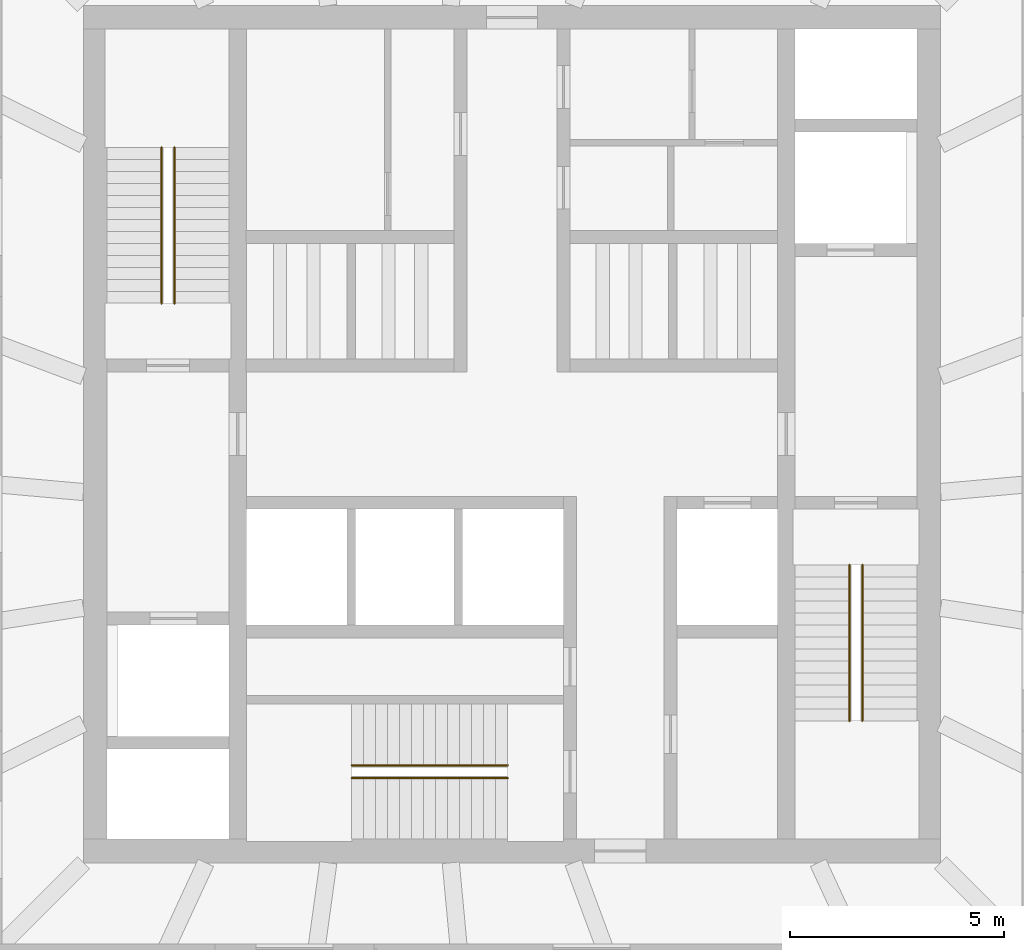
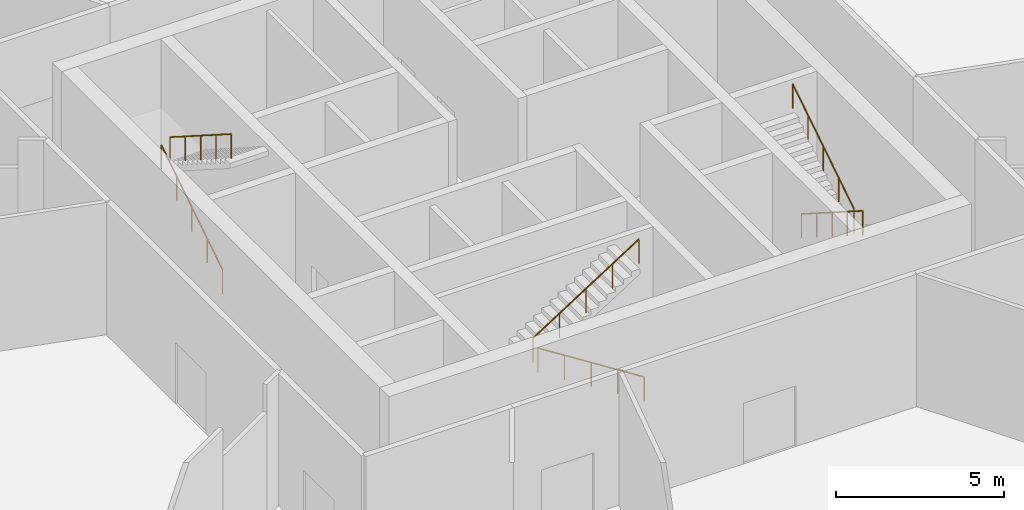
# One storey, part 17 of 17: 6 railings.
"""IFC4 building model written with IfcOpenShell, lengths in metres."""

from ifc_helpers import new_model, si_unit, direction, frame, origin, origin_2d, place, context, subcontext, project, spatial, circle, extrude, material, type_object, element, save


model = new_model("IFC4")

# Units and contexts
model_context = context("Model", 3, precision=1e-05, world=origin(), true_north=direction((0.0, 1.0)))
body_context = subcontext(model_context, "Body", "Model", "MODEL_VIEW")
ifc_project = project(units=[si_unit("LENGTHUNIT", "METRE"), si_unit("AREAUNIT", "SQUARE_METRE"), si_unit("VOLUMEUNIT", "CUBIC_METRE"), si_unit("PLANEANGLEUNIT", "RADIAN"), si_unit("MASSUNIT", "GRAM", prefix="KILO")], contexts=[model_context])

# Site, building, storey
site_placement = place(None, origin())
site = spatial("IfcSite", under=ifc_project, at=site_placement, CompositionType="ELEMENT")
building_placement = place(site_placement, origin())
building = spatial("IfcBuilding", under=site, at=building_placement, Name="Golbaran Civic Tower", CompositionType="ELEMENT")
storey_placement = place(building_placement, frame((0.0, 0.0, 150.0)))
storey = spatial("IfcBuildingStorey", under=building, at=storey_placement, Name="L36", CompositionType="ELEMENT", Elevation=150.0)

# Railings
ifc_material = material(Name="Stainless steel", Category="steel")
railing_type = type_object("IfcRailingType", Name="STAIR HANDRAIL 900", PredefinedType="HANDRAIL", material=ifc_material)
railing_1_placement = place(storey_placement, frame((-8.175048828125, 3.050048828125, 0.178466796875)))
element("IfcRailing", 1, at=railing_1_placement, inside=storey, type_object=railing_type, Name="Stair S1 handrail flight 1 L36", PredefinedType="HANDRAIL", context=body_context, shape_type="SweptSolid", body=[
    extrude(circle(Radius=0.02392578125, at=origin_2d()), frame((0.0, 0.0, 0.8759765625), z_axis=(0.0, 0.843111507901, 0.53773877045), x_axis=(-1.0, 0.0, 0.0)), (0.0, 0.0, 1.0), 4.317138671875),
    extrude(circle(Radius=0.02099609375, at=origin_2d()), origin(), (0.0, 0.0, 1.0), 0.851806640625),
    extrude(circle(Radius=0.02099609375, at=origin_2d()), frame((0.0, 0.909912109375, 0.580322265625)), (0.0, 0.0, 1.0), 0.851806640625),
    extrude(circle(Radius=0.02099609375, at=origin_2d()), frame((0.0, 1.81982421875, 1.16064453125)), (0.0, 0.0, 1.0), 0.851806640625),
    extrude(circle(Radius=0.02099609375, at=origin_2d()), frame((0.0, 2.72998046875, 1.7412109375)), (0.0, 0.0, 1.0), 0.851806640625),
    extrude(circle(Radius=0.02099609375, at=origin_2d()), frame((0.0, 3.639892578125, 2.321533203125)), (0.0, 0.0, 1.0), 0.851806640625),
])
for number, where, name in (
    (2, (-7.875, 6.68994140625, 2.678466796875), "Stair S1 handrail flight 2 L36"),
    (3, (8.175048828125, -3.050048828125, 0.178466796875), "Stair S2 handrail flight 1 L36"),
):
    element("IfcRailing", number, at=place(storey_placement, frame(where)), inside=storey, type_object=railing_type, Name=name, PredefinedType="HANDRAIL", context=body_context, shape_type="SweptSolid", body=[
        extrude(circle(Radius=0.02392578125, at=origin_2d()), frame((0.0, 0.0, 0.8759765625), z_axis=(0.0, -0.843111507901, 0.53773877045), x_axis=(1.0, 0.0, 0.0)), (0.0, 0.0, 1.0), 4.317138671875),
        extrude(circle(Radius=0.02099609375, at=origin_2d()), origin(), (0.0, 0.0, 1.0), 0.851806640625),
        extrude(circle(Radius=0.02099609375, at=origin_2d()), frame((0.0, -0.909912109375, 0.580322265625)), (0.0, 0.0, 1.0), 0.851806640625),
        extrude(circle(Radius=0.02099609375, at=origin_2d()), frame((0.0, -1.81982421875, 1.16064453125)), (0.0, 0.0, 1.0), 0.851806640625),
        extrude(circle(Radius=0.02099609375, at=origin_2d()), frame((0.0, -2.72998046875, 1.7412109375)), (0.0, 0.0, 1.0), 0.851806640625),
        extrude(circle(Radius=0.02099609375, at=origin_2d()), frame((0.0, -3.639892578125, 2.321533203125)), (0.0, 0.0, 1.0), 0.851806640625),
    ])
railing_2_placement = place(storey_placement, frame((7.875, -6.68994140625, 2.678466796875)))
element("IfcRailing", 4, at=railing_2_placement, inside=storey, type_object=railing_type, Name="Stair S2 handrail flight 2 L36", PredefinedType="HANDRAIL", context=body_context, shape_type="SweptSolid", body=[
    extrude(circle(Radius=0.02392578125, at=origin_2d()), frame((0.0, 0.0, 0.8759765625), z_axis=(0.0, 0.843111507901, 0.53773877045), x_axis=(-1.0, 0.0, 0.0)), (0.0, 0.0, 1.0), 4.317138671875),
    extrude(circle(Radius=0.02099609375, at=origin_2d()), origin(), (0.0, 0.0, 1.0), 0.851806640625),
    extrude(circle(Radius=0.02099609375, at=origin_2d()), frame((0.0, 0.909912109375, 0.580322265625)), (0.0, 0.0, 1.0), 0.851806640625),
    extrude(circle(Radius=0.02099609375, at=origin_2d()), frame((0.0, 1.81982421875, 1.16064453125)), (0.0, 0.0, 1.0), 0.851806640625),
    extrude(circle(Radius=0.02099609375, at=origin_2d()), frame((0.0, 2.72998046875, 1.7412109375)), (0.0, 0.0, 1.0), 0.851806640625),
    extrude(circle(Radius=0.02099609375, at=origin_2d()), frame((0.0, 3.639892578125, 2.321533203125)), (0.0, 0.0, 1.0), 0.851806640625),
])
railing_3_placement = place(storey_placement, frame((-0.10009765625, -8.02490234375, 0.178466796875)))
element("IfcRailing", 5, at=railing_3_placement, inside=storey, type_object=railing_type, Name="Stair S3 handrail flight 1 L36", PredefinedType="HANDRAIL", context=body_context, shape_type="SweptSolid", body=[
    extrude(circle(Radius=0.02392578125, at=origin_2d()), frame((0.0, 0.0, 0.8759765625), z_axis=(-0.843111507901, 0.0, 0.53773877045), x_axis=(0.0, -1.0, 0.0)), (0.0, 0.0, 1.0), 4.317138671875),
    extrude(circle(Radius=0.02099609375, at=origin_2d()), origin(), (0.0, 0.0, 1.0), 0.851806640625),
    extrude(circle(Radius=0.02099609375, at=origin_2d()), frame((-0.909912109375, 0.0, 0.580322265625)), (0.0, 0.0, 1.0), 0.851806640625),
    extrude(circle(Radius=0.02099609375, at=origin_2d()), frame((-1.81982421875, 0.0, 1.16064453125)), (0.0, 0.0, 1.0), 0.851806640625),
    extrude(circle(Radius=0.02099609375, at=origin_2d()), frame((-2.72998046875, 0.0, 1.7412109375)), (0.0, 0.0, 1.0), 0.851806640625),
    extrude(circle(Radius=0.02099609375, at=origin_2d()), frame((-3.639892578125, 0.0, 2.321533203125)), (0.0, 0.0, 1.0), 0.851806640625),
])
railing_4_placement = place(storey_placement, frame((-3.739990234375, -7.72509765625, 2.678466796875)))
element("IfcRailing", 6, at=railing_4_placement, inside=storey, type_object=railing_type, Name="Stair S3 handrail flight 2 L36", PredefinedType="HANDRAIL", context=body_context, shape_type="SweptSolid", body=[
    extrude(circle(Radius=0.02392578125, at=origin_2d()), frame((0.0, 0.0, 0.8759765625), z_axis=(0.843111507901, 0.0, 0.53773877045), x_axis=(0.0, 1.0, 0.0)), (0.0, 0.0, 1.0), 4.317138671875),
    extrude(circle(Radius=0.02099609375, at=origin_2d()), origin(), (0.0, 0.0, 1.0), 0.851806640625),
    extrude(circle(Radius=0.02099609375, at=origin_2d()), frame((0.909912109375, 0.0, 0.580322265625)), (0.0, 0.0, 1.0), 0.851806640625),
    extrude(circle(Radius=0.02099609375, at=origin_2d()), frame((1.81982421875, 0.0, 1.16064453125)), (0.0, 0.0, 1.0), 0.851806640625),
    extrude(circle(Radius=0.02099609375, at=origin_2d()), frame((2.72998046875, 0.0, 1.7412109375)), (0.0, 0.0, 1.0), 0.851806640625),
    extrude(circle(Radius=0.02099609375, at=origin_2d()), frame((3.639892578125, 0.0, 2.321533203125)), (0.0, 0.0, 1.0), 0.851806640625),
])

save(model, "model.ifc")
